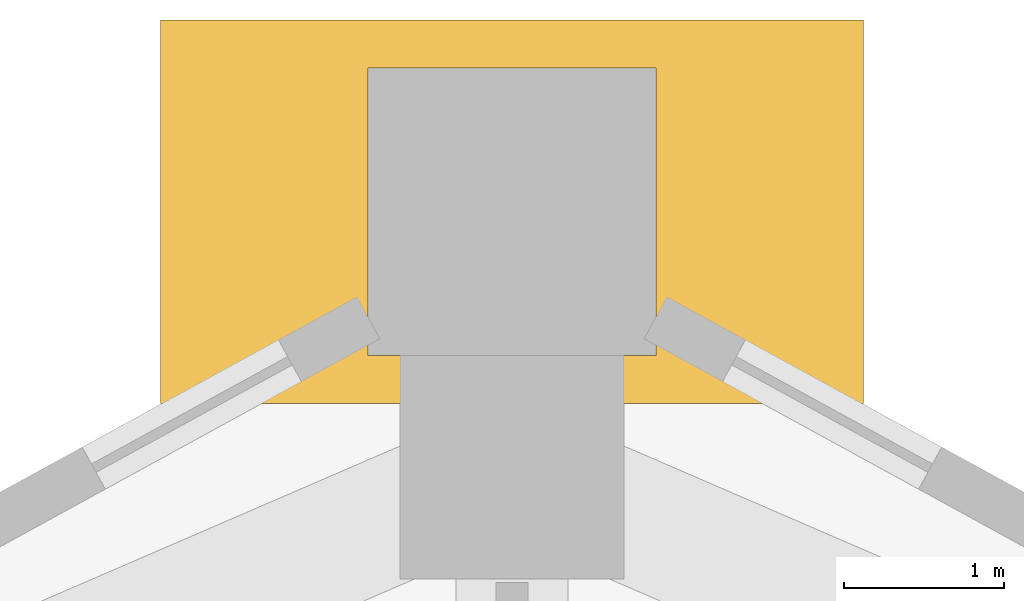
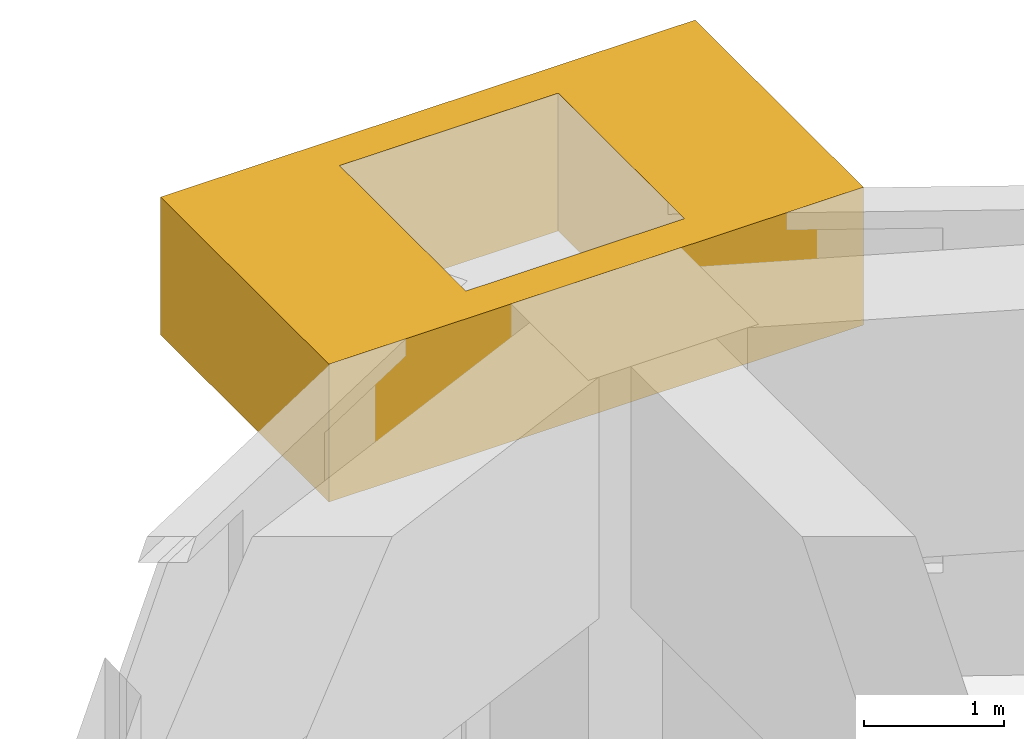
# One storey, part 9 of 9: 1 covering.
"""IFC4 building model written with IfcOpenShell, lengths in metres."""

from ifc_helpers import new_model, si_unit, direction, frame, origin, place, context, subcontext, project, spatial, polyline, outline, extrude, material, type_object, element, save


model = new_model("IFC4")

# Units and contexts
model_context = context("Model", 3, precision=1e-05, world=origin(), true_north=direction((0.0, 1.0)))
body_context = subcontext(model_context, "Body", "Model", "MODEL_VIEW")
ifc_project = project(units=[si_unit("LENGTHUNIT", "METRE"), si_unit("AREAUNIT", "SQUARE_METRE"), si_unit("VOLUMEUNIT", "CUBIC_METRE"), si_unit("PLANEANGLEUNIT", "RADIAN"), si_unit("MASSUNIT", "GRAM", prefix="KILO")], contexts=[model_context])

# Site, building, storey
site_placement = place(None, origin())
site = spatial("IfcSite", under=ifc_project, at=site_placement, CompositionType="ELEMENT")
building_placement = place(site_placement, origin())
building = spatial("IfcBuilding", under=site, at=building_placement, Name="Entoto Arch Interchange Tower", CompositionType="ELEMENT")
storey_placement = place(building_placement, frame((0.0, 0.0, 335.89990234375)))
storey = spatial("IfcBuildingStorey", under=building, at=storey_placement, Name="L79", CompositionType="ELEMENT", Elevation=335.89990234375)

# Covering
ifc_material = material(Name="Board-marked precast concrete C50/60", Category="concrete")
covering_type = type_object("IfcCoveringType", Name="PRECAST FRAME COURSE", PredefinedType="CLADDING", material=ifc_material)
covering_placement = place(storey_placement, frame((0.0, 0.0, 2.85009765625)))
element("IfcCovering", 1, at=covering_placement, inside=storey, type_object=covering_type, Name="Corner pilaster head N L78-L79", PredefinedType="CLADDING", context=body_context, shape_type="SweptSolid", body=[
    extrude(outline(polyline([(-2.199951171875, 26.511962890625), (2.199951171875, 26.511962890625), (2.199951171875, 24.112060546875), (-2.199951171875, 24.112060546875), (-2.199951171875, 26.511962890625)]), holes=[polyline([(0.89990234375, 24.412109375), (0.89990234375, 26.2119140625), (-0.89990234375, 26.2119140625), (-0.89990234375, 24.412109375), (0.89990234375, 24.412109375)])]), origin(), (0.0, 0.0, 1.0), 1.199951171875),
])

save(model, "model.ifc")
